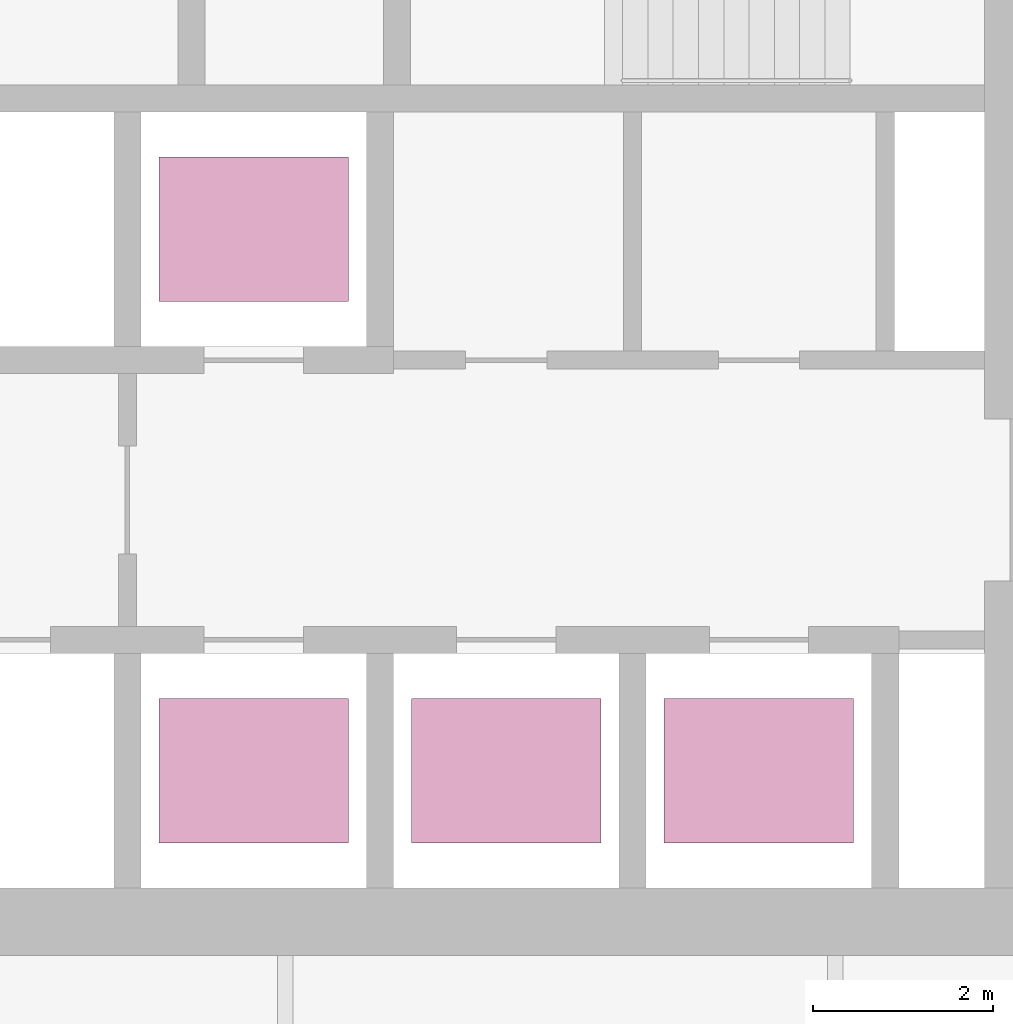
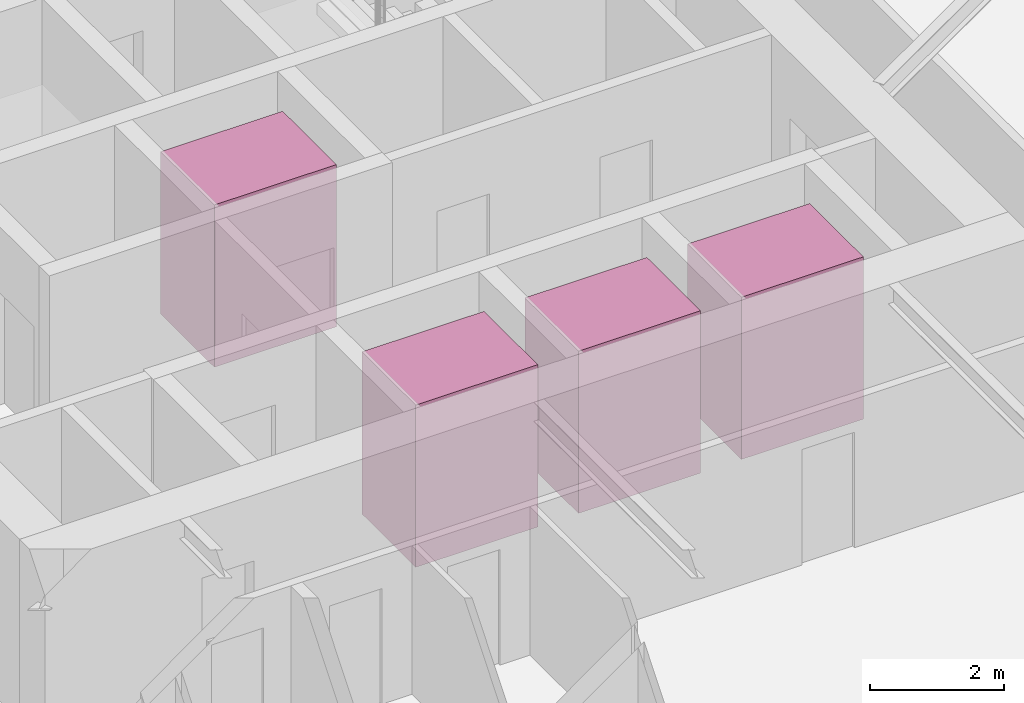
# One storey, part 23 of 23: 4 transport elements.
"""IFC4 building model written with IfcOpenShell, lengths in metres."""

from ifc_helpers import new_model, si_unit, direction, frame, origin, origin_2d, place, context, subcontext, project, spatial, rectangle, extrude, material, type_object, element, save


model = new_model("IFC4")

# Units and contexts
model_context = context("Model", 3, precision=1e-05, world=origin(), true_north=direction((0.0, 1.0)))
body_context = subcontext(model_context, "Body", "Model", "MODEL_VIEW")
ifc_project = project(units=[si_unit("LENGTHUNIT", "METRE"), si_unit("AREAUNIT", "SQUARE_METRE"), si_unit("VOLUMEUNIT", "CUBIC_METRE"), si_unit("PLANEANGLEUNIT", "RADIAN"), si_unit("MASSUNIT", "GRAM", prefix="KILO")], contexts=[model_context])

# Site, building, storey
site_placement = place(None, origin())
site = spatial("IfcSite", under=ifc_project, at=site_placement, CompositionType="ELEMENT")
building_placement = place(site_placement, origin())
building = spatial("IfcBuilding", under=site, at=building_placement, Name="Firuza Gate Tower and Library", CompositionType="ELEMENT")
storey_placement = place(building_placement, frame((0.0, 0.0, 302.10009765625)))
storey = spatial("IfcBuildingStorey", under=building, at=storey_placement, Name="L73", CompositionType="ELEMENT", Elevation=302.10009765625)

# Transport elements
ifc_material = material(Name="Stainless steel and glass", Category="steel")
transport_element_type = type_object("IfcTransportElementType", Name="High-rise lift car 2100x1600", PredefinedType="ELEVATOR", material=ifc_material)
for number, where, z_axis, x_axis, name in (
    (1, (74.64990234375, 70.300048828125, 0.0), (0.0, 0.0, 1.0), (1.0, 0.0, 0.0), "High-rise lift HR1"),
    (2, (77.449951171875, 70.300048828125, 0.0), (0.0, 0.0, 1.0), (1.0, 0.0, 0.0), "High-rise lift HR2"),
    (3, (80.25, 70.300048828125, 0.0), (0.0, 0.0, 1.0), (1.0, 0.0, 0.0), "High-rise lift HR3"),
    (4, (74.64990234375, 76.300048828125, 0.0), (0.0, 0.0, 1.0), (1.0, 0.0, 0.0), "High-rise lift HR4"),
):
    element("IfcTransportElement", number, at=place(storey_placement, frame(where, z_axis=z_axis, x_axis=x_axis)), inside=storey, type_object=transport_element_type, Name=name, PredefinedType="ELEVATOR", context=body_context, shape_type="SweptSolid", body=[
        extrude(rectangle(XDim=2.10009765625, YDim=1.60009765625, at=origin_2d()), origin(), (0.0, 0.0, 1.0), 2.949951171875),
    ])

save(model, "model.ifc")
